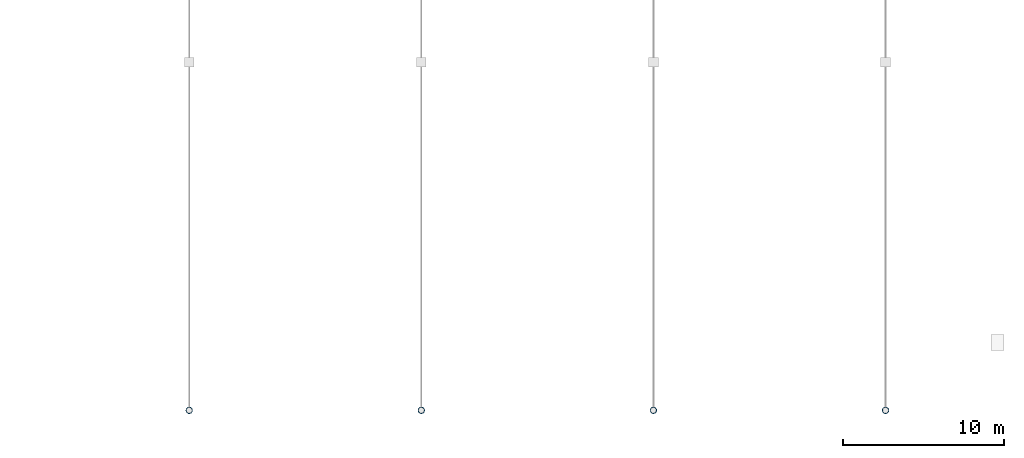
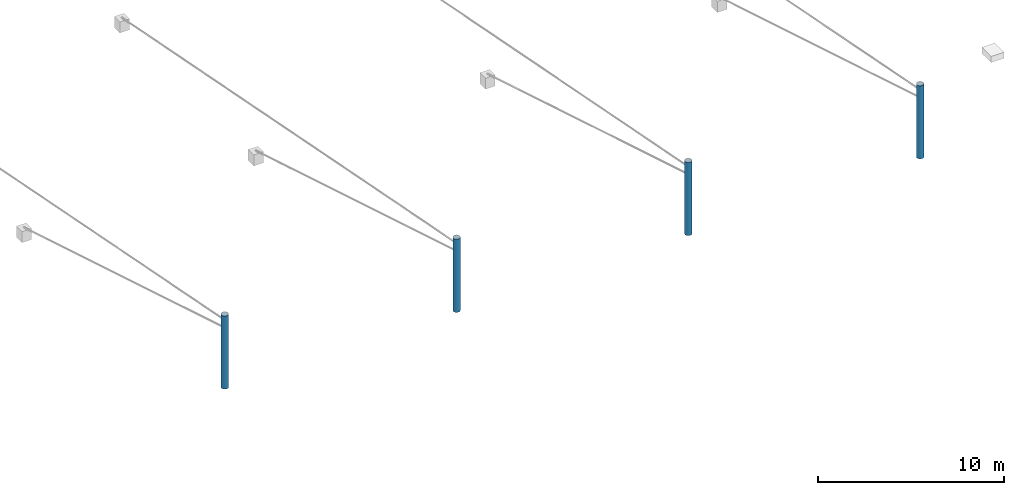
# One storey, part 10 of 68: 4 columns.
"""IFC4 building model written with IfcOpenShell, lengths in metres."""

from ifc_helpers import new_model, si_unit, direction, frame, origin, origin_2d, place, context, subcontext, project, spatial, hollow_circle, extrude, material, material_profile, profile_set, type_object, element, save


model = new_model("IFC4")

# Units and contexts
model_context = context("Model", 3, precision=1e-05, world=origin(), true_north=direction((0.0, 1.0)))
body_context = subcontext(model_context, "Body", "Model", "MODEL_VIEW")
ifc_project = project(units=[si_unit("LENGTHUNIT", "METRE"), si_unit("AREAUNIT", "SQUARE_METRE"), si_unit("VOLUMEUNIT", "CUBIC_METRE"), si_unit("PLANEANGLEUNIT", "RADIAN"), si_unit("MASSUNIT", "GRAM", prefix="KILO")], contexts=[model_context])

# Site, building, storey
site_placement = place(None, origin())
site = spatial("IfcSite", under=ifc_project, at=site_placement, CompositionType="ELEMENT")
building_placement = place(site_placement, origin())
building = spatial("IfcBuilding", under=site, at=building_placement, Name="Kupolbacken Congress Centre", CompositionType="ELEMENT")
storey_placement = place(building_placement, frame((0.0, 0.0, 25.199951171875)))
storey = spatial("IfcBuildingStorey", under=building, at=storey_placement, Name="L07", CompositionType="ELEMENT", Elevation=25.199951171875)

# Columns
ifc_material = material(Name="Steel S355", Category="steel")
ifc_material_profile = material_profile(ifc_material, hollow_circle(Radius=0.203125, WallThickness=0.01611328125, at=origin_2d()), Name="CHS 406.4 x 16")
ifc_profile_set = profile_set([ifc_material_profile], Name="Steel S355")
column_type = type_object("IfcColumnType", Name="C15 roof mast CHS 406.4 x 16", PredefinedType="COLUMN", material=ifc_profile_set)
for number, where, z_axis, x_axis, name in (
    (1, (151.199951171875, 39.60009765625, 0.0), (0.0, 0.0, 1.0), (1.0, 0.0, 0.0), "Roof mast M5S"),
    (2, (165.60009765625, 39.60009765625, 0.0), (0.0, 0.0, 1.0), (1.0, 0.0, 0.0), "Roof mast M6S"),
    (3, (180.0, 39.60009765625, 0.0), (0.0, 0.0, 1.0), (1.0, 0.0, 0.0), "Roof mast M7S"),
    (4, (194.39990234375, 39.60009765625, 0.0), (0.0, 0.0, 1.0), (1.0, 0.0, 0.0), "Roof mast M8S"),
):
    element("IfcColumn", number, at=place(storey_placement, frame(where, z_axis=z_axis, x_axis=x_axis)), inside=storey, type_object=column_type, Name=name, PredefinedType="COLUMN", context=body_context, shape_type="SweptSolid", body=[
        extrude(hollow_circle(Radius=0.203125, WallThickness=0.01611328125, at=origin_2d()), origin(), (0.0, 0.0, 1.0), 4.800048828125),
    ])

save(model, "model.ifc")
